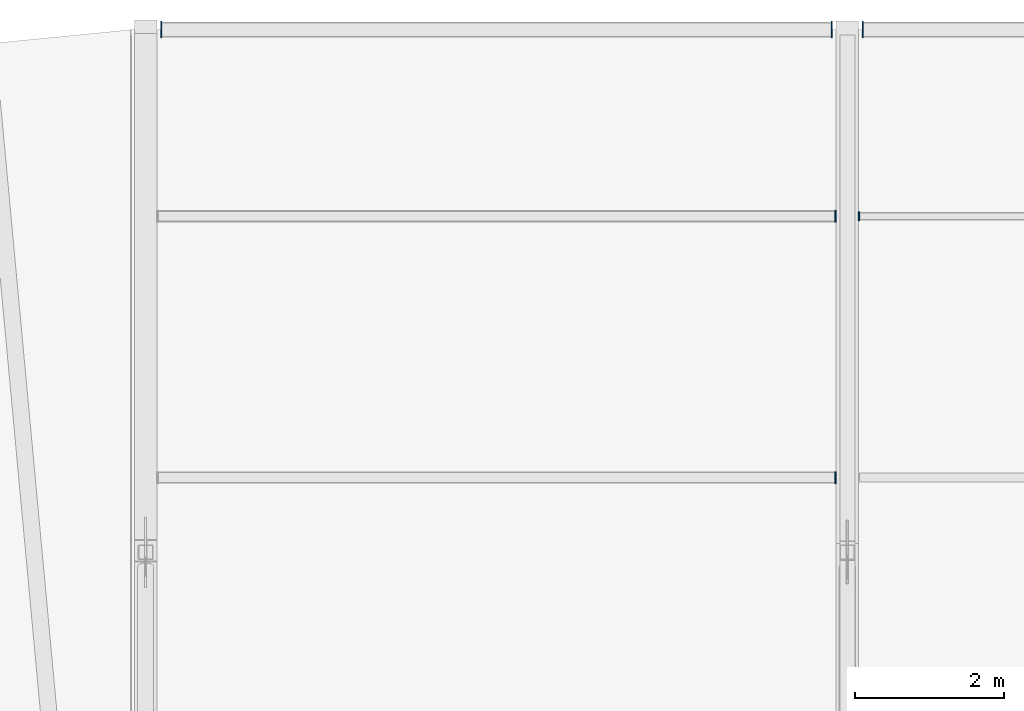
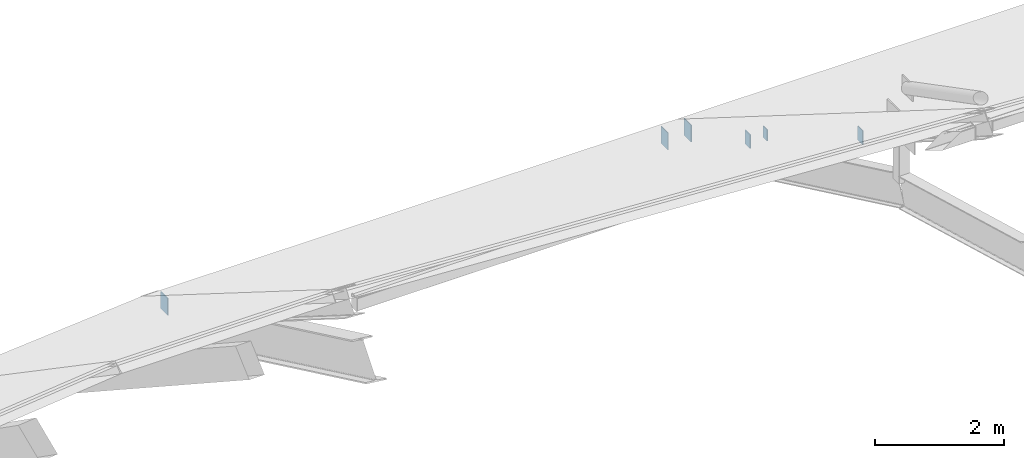
# One storey, part 50 of 66: 6 plates.
"""IFC4 building model written with IfcOpenShell, lengths in metres."""

from ifc_helpers import new_model, si_unit, direction, frame, origin, origin_2d, place, context, subcontext, project, spatial, rectangle, extrude, material, layer, layer_set, type_object, element, save


model = new_model("IFC4")

# Units and contexts
model_context = context("Model", 3, precision=1e-05, world=origin(), true_north=direction((0.0, 1.0)))
body_context = subcontext(model_context, "Body", "Model", "MODEL_VIEW")
ifc_project = project(units=[si_unit("LENGTHUNIT", "METRE"), si_unit("AREAUNIT", "SQUARE_METRE"), si_unit("VOLUMEUNIT", "CUBIC_METRE"), si_unit("PLANEANGLEUNIT", "RADIAN"), si_unit("MASSUNIT", "GRAM", prefix="KILO")], contexts=[model_context])

# Site, building, storey
site_placement = place(None, origin())
site = spatial("IfcSite", under=ifc_project, at=site_placement, CompositionType="ELEMENT")
building_placement = place(site_placement, origin())
building = spatial("IfcBuilding", under=site, at=building_placement, Name="Yeouljin Market Hall", CompositionType="ELEMENT")
storey_placement = place(building_placement, frame((0.0, 0.0, 23.39990234375)))
storey = spatial("IfcBuildingStorey", under=building, at=storey_placement, Name="RF", CompositionType="ELEMENT", Elevation=23.39990234375)

# Plates
ifc_material_1 = material(Name="Steel SM355", Category="steel")
ifc_layer_1 = layer(ifc_material_1, 0.01611328125)
ifc_layer_set_1 = layer_set([ifc_layer_1], Name="Steel SM355")
plate_type_1 = type_object("IfcPlateType", Name="CapPlate_220x120x16", PredefinedType="SHEET", material=ifc_layer_set_1)
plate_placement = place(storey_placement, frame((45.157958984375, 75.5, -10.91845703125), z_axis=(0.0, 0.0, 1.0), x_axis=(0.0, 1.0, 0.0)))
element("IfcPlate", 1, at=plate_placement, inside=storey, type_object=plate_type_1, Name="Purlin end-cap plate 0095", PredefinedType="SHEET", context=body_context, shape_type="SweptSolid", body=[
    extrude(rectangle(XDim=0.1201171875, YDim=0.01611328125, at=origin_2d()), origin(), (0.0, 0.0, 1.0), 0.219970703125),
])
ifc_material_2 = material(Name="Steel SM355", Category="steel")
ifc_layer_2 = layer(ifc_material_2, 0.01611328125)
ifc_layer_set_2 = layer_set([ifc_layer_2], Name="Steel SM355")
plate_type_2 = type_object("IfcPlateType", Name="CapPlate_260x160x16", PredefinedType="SHEET", material=ifc_layer_set_2)
for number, where, z_axis, x_axis, name in (
    (2, (44.842041015625, 72.0, -8.73828125), (0.0, 0.0, 1.0), (0.0, 1.0, 0.0), "Purlin end-cap plate 0070"),
    (3, (44.842041015625, 75.5, -10.9384765625), (0.0, 0.0, 1.0), (0.0, 1.0, 0.0), "Purlin end-cap plate 0072"),
):
    element("IfcPlate", number, at=place(storey_placement, frame(where, z_axis=z_axis, x_axis=x_axis)), inside=storey, type_object=plate_type_2, Name=name, PredefinedType="SHEET", context=body_context, shape_type="SweptSolid", body=[
        extrude(rectangle(XDim=0.159912109375, YDim=0.01611328125, at=origin_2d()), origin(), (0.0, 0.0, 1.0), 0.260009765625),
    ])
ifc_material_3 = material(Name="Steel SM355", Category="steel")
ifc_layer_3 = layer(ifc_material_3, 0.01611328125)
ifc_layer_set_3 = layer_set([ifc_layer_3], Name="Steel SM355")
plate_type_3 = type_object("IfcPlateType", Name="CapPlate_320x220x16", PredefinedType="SHEET", material=ifc_layer_set_3)
for number, where, z_axis, x_axis, name in (
    (4, (35.80810546875, 78.0, -12.43994140625), (0.0, 0.0, 1.0), (0.0, 1.0, 0.0), "Eaves girder end-cap plate N01-W"),
    (5, (44.7919921875, 78.0, -12.43994140625), (0.0, 0.0, 1.0), (0.0, 1.0, 0.0), "Eaves girder end-cap plate N01-E"),
    (6, (45.2080078125, 78.0, -12.43994140625), (0.0, 0.0, 1.0), (0.0, 1.0, 0.0), "Eaves girder end-cap plate N02-W"),
):
    element("IfcPlate", number, at=place(storey_placement, frame(where, z_axis=z_axis, x_axis=x_axis)), inside=storey, type_object=plate_type_3, Name=name, PredefinedType="SHEET", context=body_context, shape_type="SweptSolid", body=[
        extrude(rectangle(XDim=0.219970703125, YDim=0.01611328125, at=origin_2d()), origin(), (0.0, 0.0, 1.0), 0.320068359375),
    ])

save(model, "model.ifc")
